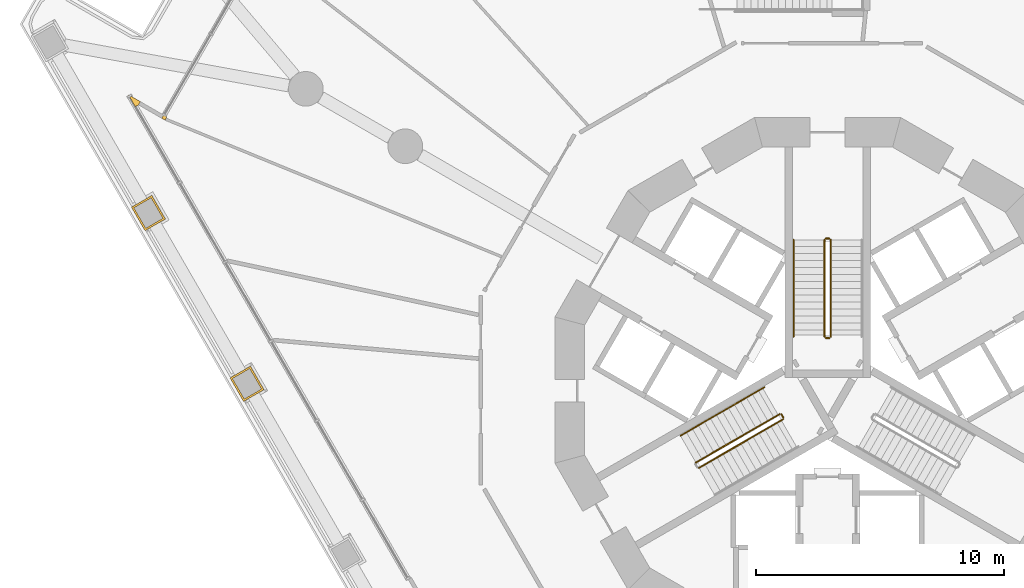
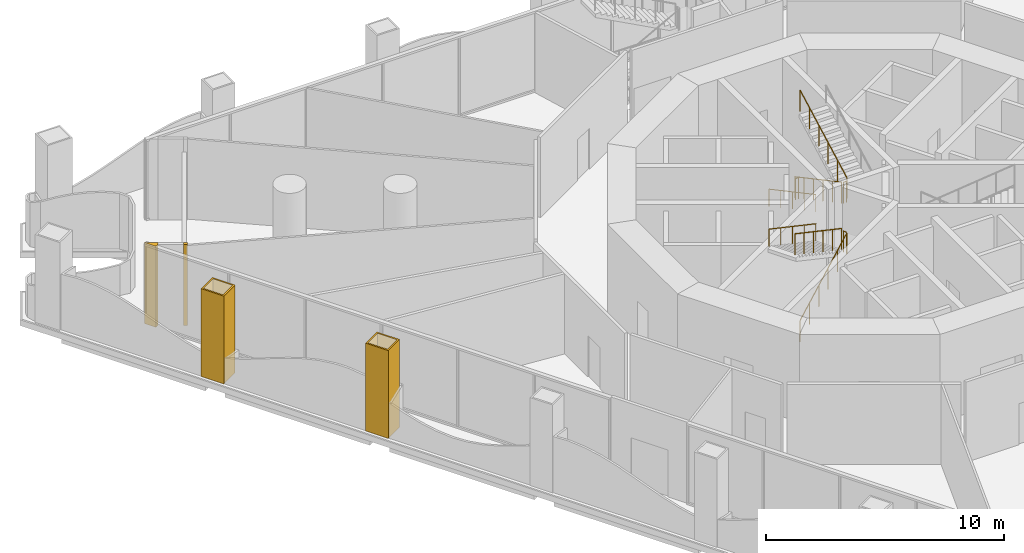
# One storey, part 18 of 21: 10 railings, 4 coverings.
"""IFC4 building model written with IfcOpenShell, lengths in metres."""

from ifc_helpers import new_model, si_unit, direction, frame, origin, origin_2d, place, context, subcontext, project, spatial, polyline, circle, outline, extrude, material, layer, layer_set, type_object, element, save


model = new_model("IFC4")

# Units and contexts
model_context = context("Model", 3, precision=1e-05, world=origin(), true_north=direction((0.0, 1.0)))
body_context = subcontext(model_context, "Body", "Model", "MODEL_VIEW")
ifc_project = project(units=[si_unit("LENGTHUNIT", "METRE"), si_unit("AREAUNIT", "SQUARE_METRE"), si_unit("VOLUMEUNIT", "CUBIC_METRE"), si_unit("PLANEANGLEUNIT", "RADIAN"), si_unit("MASSUNIT", "GRAM", prefix="KILO")], contexts=[model_context])

# Site, building, storey
site_placement = place(None, origin())
site = spatial("IfcSite", under=ifc_project, at=site_placement, CompositionType="ELEMENT")
building_placement = place(site_placement, origin())
building = spatial("IfcBuilding", under=site, at=building_placement, Name="Trine Commons Tower", CompositionType="ELEMENT")
storey_placement = place(building_placement, frame((0.0, 0.0, 13.5)))
storey = spatial("IfcBuildingStorey", under=building, at=storey_placement, Name="L02", CompositionType="ELEMENT", Elevation=13.5)

# Coverings
ifc_material_1 = material(Name="Aluminium-framed insulated wall panel", Category="aluminium")
ifc_layer_1 = layer(ifc_material_1, 0.14990234375)
ifc_layer_set_1 = layer_set([ifc_layer_1], Name="Aluminium-framed insulated wall panel")
covering_type_1 = type_object("IfcCoveringType", Name="Glazing corner post, aluminium", PredefinedType="CLADDING", material=ifc_layer_set_1)
covering_1_placement = place(storey_placement, origin())
element("IfcCovering", 1, at=covering_1_placement, inside=storey, type_object=covering_type_1, Name="Glazing corner post 1-01", PredefinedType="CLADDING", context=body_context, shape_type="SweptSolid", body=[
    extrude(outline(polyline([(51.75634765625, 74.43017578125), (51.75634765625, 74.43017578125), (52.036376953125, 73.9453125), (52.166259765625, 74.020263671875), (52.166259765625, 74.020263671875), (52.166259765625, 74.020263671875), (52.166259765625, 74.020263671875), (52.2412109375, 74.150146484375), (51.75634765625, 74.43017578125)])), origin(), (0.0, 0.0, 1.0), 4.14990234375),
])
covering_2_placement = place(storey_placement, origin())
element("IfcCovering", 2, at=covering_2_placement, inside=storey, type_object=covering_type_1, Name="Glazing corner post 1-02", PredefinedType="CLADDING", context=body_context, shape_type="SweptSolid", body=[
    extrude(outline(polyline([(53.1064453125, 73.4775390625), (53.236328125, 73.402587890625), (53.311279296875, 73.532470703125), (53.181396484375, 73.607421875), (53.1064453125, 73.4775390625)])), origin(), (0.0, 0.0, 1.0), 4.14990234375),
])
ifc_material_2 = material(Name="Limestone, honed", Category="masonry")
ifc_layer_2 = layer(ifc_material_2, 0.074951171875)
ifc_layer_set_2 = layer_set([ifc_layer_2], Name="Limestone, honed")
covering_type_2 = type_object("IfcCoveringType", Name="Limestone column cladding 75", PredefinedType="CLADDING", material=ifc_layer_set_2)
covering_3_placement = place(storey_placement, origin())
element("IfcCovering", 3, at=covering_3_placement, inside=storey, type_object=covering_type_2, Name="Limestone pier cladding 1-06", PredefinedType="CLADDING", context=body_context, shape_type="SweptSolid", body=[
    extrude(outline(polyline([(56.68359375, 63.46630859375), (55.860595703125, 62.9912109375), (56.41064453125, 62.03857421875), (57.2333984375, 62.513671875), (56.68359375, 63.46630859375)]), holes=[polyline([(56.656005859375, 63.36376953125), (55.963134765625, 62.9638671875), (56.438232421875, 62.14111328125), (57.131103515625, 62.541015625), (56.656005859375, 63.36376953125)])]), origin(), (0.0, 0.0, 1.0), 4.5),
])
covering_4_placement = place(storey_placement, origin())
element("IfcCovering", 4, at=covering_4_placement, inside=storey, type_object=covering_type_2, Name="Limestone pier cladding 1-07", PredefinedType="CLADDING", context=body_context, shape_type="SweptSolid", body=[
    extrude(outline(polyline([(52.701904296875, 70.36279296875), (51.87890625, 69.8876953125), (52.428955078125, 68.93505859375), (53.251708984375, 69.41015625), (52.701904296875, 70.36279296875)]), holes=[polyline([(52.67431640625, 70.26025390625), (51.9814453125, 69.8603515625), (52.45654296875, 69.03759765625), (53.1494140625, 69.4375), (52.67431640625, 70.26025390625)])]), origin(), (0.0, 0.0, 1.0), 4.5),
])

# Railings
ifc_material_3 = material(Name="Stainless steel balustrade", Category="steel")
railing_type_1 = type_object("IfcRailingType", Name="Stair guard, steel balustrade 1100", PredefinedType="GUARDRAIL", material=ifc_material_3)
railing_1_placement = place(storey_placement, frame((79.875, 68.570556640625, 0.14990234375)))
element("IfcRailing", 5, at=railing_1_placement, inside=storey, type_object=railing_type_1, Name="L02 ST1A stair guard 1", PredefinedType="GUARDRAIL", context=body_context, shape_type="SweptSolid", body=[
    extrude(circle(Radius=0.02392578125, at=origin_2d()), frame((0.0, 0.0, 1.076171875), z_axis=(0.0, -0.881466911329, 0.472245787945), x_axis=(1.0, 0.0, 0.0)), (0.0, 0.0, 1.0), 4.447021484375),
    extrude(circle(Radius=0.02099609375, at=origin_2d()), origin(), (0.0, 0.0, 1.0), 1.052001953125),
    extrude(circle(Radius=0.02099609375, at=origin_2d()), frame((0.0, -0.783935546875, 0.419921875)), (0.0, 0.0, 1.0), 1.052001953125),
    extrude(circle(Radius=0.02099609375, at=origin_2d()), frame((0.0, -1.56787109375, 0.840087890625)), (0.0, 0.0, 1.0), 1.052001953125),
    extrude(circle(Radius=0.02099609375, at=origin_2d()), frame((0.0, -2.35205078125, 1.260009765625)), (0.0, 0.0, 1.0), 1.052001953125),
    extrude(circle(Radius=0.02099609375, at=origin_2d()), frame((0.0, -3.135986328125, 1.68017578125)), (0.0, 0.0, 1.0), 1.052001953125),
    extrude(circle(Radius=0.02099609375, at=origin_2d()), frame((0.0, -3.919921875, 2.10009765625)), (0.0, 0.0, 1.0), 1.052001953125),
])
railing_2_placement = place(storey_placement, frame((79.925048828125, 64.6005859375, 2.25)))
element("IfcRailing", 6, at=railing_2_placement, inside=storey, type_object=railing_type_1, Name="L02 ST1A stair guard 2", PredefinedType="GUARDRAIL", context=body_context, shape_type="SweptSolid", body=[
    extrude(circle(Radius=0.02392578125, at=origin_2d()), frame((0.0, 0.0, 1.076171875), z_axis=(1.0, 0.0, 0.0), x_axis=(0.0, 1.0, 0.0)), (0.0, 0.0, 1.0), 0.14990234375),
    extrude(circle(Radius=0.02099609375, at=origin_2d()), origin(), (0.0, 0.0, 1.0), 1.052001953125),
    extrude(circle(Radius=0.02099609375, at=origin_2d()), frame((0.14990234375, 0.0, 0.0)), (0.0, 0.0, 1.0), 1.052001953125),
])
railing_3_placement = place(storey_placement, frame((80.125, 64.650634765625, 2.39990234375)))
element("IfcRailing", 7, at=railing_3_placement, inside=storey, type_object=railing_type_1, Name="L02 ST1A stair guard 3", PredefinedType="GUARDRAIL", context=body_context, shape_type="SweptSolid", body=[
    extrude(circle(Radius=0.02392578125, at=origin_2d()), frame((0.0, 0.0, 1.076171875), z_axis=(0.0, 0.881466911329, 0.472245787945), x_axis=(-1.0, 0.0, 0.0)), (0.0, 0.0, 1.0), 4.447021484375),
    extrude(circle(Radius=0.02099609375, at=origin_2d()), origin(), (0.0, 0.0, 1.0), 1.052001953125),
    extrude(circle(Radius=0.02099609375, at=origin_2d()), frame((0.0, 0.783935546875, 0.419921875)), (0.0, 0.0, 1.0), 1.052001953125),
    extrude(circle(Radius=0.02099609375, at=origin_2d()), frame((0.0, 1.56787109375, 0.840087890625)), (0.0, 0.0, 1.0), 1.052001953125),
    extrude(circle(Radius=0.02099609375, at=origin_2d()), frame((0.0, 2.35205078125, 1.260009765625)), (0.0, 0.0, 1.0), 1.052001953125),
    extrude(circle(Radius=0.02099609375, at=origin_2d()), frame((0.0, 3.135986328125, 1.68017578125)), (0.0, 0.0, 1.0), 1.052001953125),
    extrude(circle(Radius=0.02099609375, at=origin_2d()), frame((0.0, 3.919921875, 2.10009765625)), (0.0, 0.0, 1.0), 1.052001953125),
])
railing_4_placement = place(storey_placement, frame((79.925048828125, 68.62060546875, 0.0)))
element("IfcRailing", 8, at=railing_4_placement, inside=storey, type_object=railing_type_1, Name="L02 ST1A stair guard 4", PredefinedType="GUARDRAIL", context=body_context, shape_type="SweptSolid", body=[
    extrude(circle(Radius=0.02392578125, at=origin_2d()), frame((0.0, 0.0, 1.076171875), z_axis=(1.0, 0.0, 0.0), x_axis=(0.0, 1.0, 0.0)), (0.0, 0.0, 1.0), 0.14990234375),
    extrude(circle(Radius=0.02099609375, at=origin_2d()), origin(), (0.0, 0.0, 1.0), 1.052001953125),
    extrude(circle(Radius=0.02099609375, at=origin_2d()), frame((0.14990234375, 0.0, 0.0)), (0.0, 0.0, 1.0), 1.052001953125),
])
railing_5_placement = place(storey_placement, frame((74.80517578125, 59.3564453125, 0.14990234375)))
element("IfcRailing", 9, at=railing_5_placement, inside=storey, type_object=railing_type_1, Name="L02 ST2A stair guard 1", PredefinedType="GUARDRAIL", context=body_context, shape_type="SweptSolid", body=[
    extrude(circle(Radius=0.02392578125, at=origin_2d()), frame((0.0, 0.0, 1.076171875), z_axis=(0.763374939589, 0.440731680332, 0.472243885677), x_axis=(-0.499997407846, 0.86602690036, 0.0)), (0.0, 0.0, 1.0), 4.447021484375),
    extrude(circle(Radius=0.02099609375, at=origin_2d()), origin(), (0.0, 0.0, 1.0), 1.052001953125),
    extrude(circle(Radius=0.02099609375, at=origin_2d()), frame((0.678955078125, 0.39208984375, 0.419921875)), (0.0, 0.0, 1.0), 1.052001953125),
    extrude(circle(Radius=0.02099609375, at=origin_2d()), frame((1.35791015625, 0.783935546875, 0.840087890625)), (0.0, 0.0, 1.0), 1.052001953125),
    extrude(circle(Radius=0.02099609375, at=origin_2d()), frame((2.036865234375, 1.176025390625, 1.260009765625)), (0.0, 0.0, 1.0), 1.052001953125),
    extrude(circle(Radius=0.02099609375, at=origin_2d()), frame((2.7158203125, 1.56787109375, 1.68017578125)), (0.0, 0.0, 1.0), 1.052001953125),
    extrude(circle(Radius=0.02099609375, at=origin_2d()), frame((3.394775390625, 1.9599609375, 2.10009765625)), (0.0, 0.0, 1.0), 1.052001953125),
])
railing_6_placement = place(storey_placement, frame((78.21826171875, 61.384765625, 2.25)))
element("IfcRailing", 10, at=railing_6_placement, inside=storey, type_object=railing_type_1, Name="L02 ST2A stair guard 2", PredefinedType="GUARDRAIL", context=body_context, shape_type="SweptSolid", body=[
    extrude(circle(Radius=0.02392578125, at=origin_2d()), frame((0.0, 0.0, 1.076171875), z_axis=(-0.499816412211, 0.866131372301, 0.0), x_axis=(-0.866131372301, -0.499816412211, 0.0)), (0.0, 0.0, 1.0), 0.14990234375),
    extrude(circle(Radius=0.02099609375, at=origin_2d()), origin(), (0.0, 0.0, 1.0), 1.052001953125),
    extrude(circle(Radius=0.02099609375, at=origin_2d()), frame((-0.074951171875, 0.1298828125, 0.0)), (0.0, 0.0, 1.0), 1.052001953125),
])
railing_7_placement = place(storey_placement, frame((78.074951171875, 61.532958984375, 2.39990234375)))
element("IfcRailing", 11, at=railing_7_placement, inside=storey, type_object=railing_type_1, Name="L02 ST2A stair guard 3", PredefinedType="GUARDRAIL", context=body_context, shape_type="SweptSolid", body=[
    extrude(circle(Radius=0.02392578125, at=origin_2d()), frame((0.0, 0.0, 1.076171875), z_axis=(-0.763374939589, -0.440731680332, 0.472243885677), x_axis=(0.499997407846, -0.86602690036, 0.0)), (0.0, 0.0, 1.0), 4.447021484375),
    extrude(circle(Radius=0.02099609375, at=origin_2d()), origin(), (0.0, 0.0, 1.0), 1.052001953125),
    extrude(circle(Radius=0.02099609375, at=origin_2d()), frame((-0.678955078125, -0.39208984375, 0.419921875)), (0.0, 0.0, 1.0), 1.052001953125),
    extrude(circle(Radius=0.02099609375, at=origin_2d()), frame((-1.35791015625, -0.783935546875, 0.840087890625)), (0.0, 0.0, 1.0), 1.052001953125),
    extrude(circle(Radius=0.02099609375, at=origin_2d()), frame((-2.036865234375, -1.176025390625, 1.260009765625)), (0.0, 0.0, 1.0), 1.052001953125),
    extrude(circle(Radius=0.02099609375, at=origin_2d()), frame((-2.7158203125, -1.56787109375, 1.68017578125)), (0.0, 0.0, 1.0), 1.052001953125),
    extrude(circle(Radius=0.02099609375, at=origin_2d()), frame((-3.394775390625, -1.9599609375, 2.10009765625)), (0.0, 0.0, 1.0), 1.052001953125),
])
ifc_material_4 = material(Name="Stainless steel handrail", Category="steel")
railing_type_2 = type_object("IfcRailingType", Name="Stair handrail, steel 900", PredefinedType="HANDRAIL", material=ifc_material_4)
railing_8_placement = place(storey_placement, frame((78.625, 68.570556640625, 0.14990234375)))
element("IfcRailing", 12, at=railing_8_placement, inside=storey, type_object=railing_type_2, Name="L02 ST1A stair handrail 1", PredefinedType="HANDRAIL", context=body_context, shape_type="SweptSolid", body=[
    extrude(circle(Radius=0.02099609375, at=origin_2d()), frame((0.0, 0.0, 0.87890625), z_axis=(0.0, -0.881466911329, 0.472245787945), x_axis=(1.0, 0.0, 0.0)), (0.0, 0.0, 1.0), 4.447021484375),
    extrude(circle(Radius=0.01513671875, at=origin_2d()), origin(), (0.0, 0.0, 1.0), 0.85791015625),
    extrude(circle(Radius=0.01513671875, at=origin_2d()), frame((0.0, -0.97998046875, 0.52490234375)), (0.0, 0.0, 1.0), 0.85791015625),
    extrude(circle(Radius=0.01513671875, at=origin_2d()), frame((0.0, -1.9599609375, 1.050048828125)), (0.0, 0.0, 1.0), 0.85791015625),
    extrude(circle(Radius=0.01513671875, at=origin_2d()), frame((0.0, -2.93994140625, 1.5751953125)), (0.0, 0.0, 1.0), 0.85791015625),
    extrude(circle(Radius=0.01513671875, at=origin_2d()), frame((0.0, -3.919921875, 2.10009765625)), (0.0, 0.0, 1.0), 0.85791015625),
])
railing_9_placement = place(storey_placement, frame((77.449951171875, 62.615478515625, 2.39990234375)))
element("IfcRailing", 13, at=railing_9_placement, inside=storey, type_object=railing_type_2, Name="L02 ST2A stair handrail 3", PredefinedType="HANDRAIL", context=body_context, shape_type="SweptSolid", body=[
    extrude(circle(Radius=0.02099609375, at=origin_2d()), frame((0.0, 0.0, 0.87890625), z_axis=(-0.763352030933, -0.440750151347, 0.472263677365), x_axis=(0.500024377727, -0.866011328839, 0.0)), (0.0, 0.0, 1.0), 2.223388671875),
    extrude(circle(Radius=0.01513671875, at=origin_2d()), origin(), (0.0, 0.0, 1.0), 0.85791015625),
    extrude(circle(Radius=0.01513671875, at=origin_2d()), frame((-0.8486328125, -0.489990234375, 0.52490234375)), (0.0, 0.0, 1.0), 0.85791015625),
    extrude(circle(Radius=0.01513671875, at=origin_2d()), frame((-1.697265625, -0.97998046875, 1.050048828125)), (0.0, 0.0, 1.0), 0.85791015625),
])
railing_10_placement = place(storey_placement, frame((75.752685546875, 61.635498046875, 3.449951171875)))
element("IfcRailing", 14, at=railing_10_placement, inside=storey, type_object=railing_type_2, Name="L02 ST2A stair handrail 4", PredefinedType="HANDRAIL", context=body_context, shape_type="SweptSolid", body=[
    extrude(circle(Radius=0.02099609375, at=origin_2d()), frame((0.0, 0.0, 0.87890625), z_axis=(-0.763397845365, -0.440713210311, 0.472224095054), x_axis=(0.499970440388, -0.866042469362, 0.0)), (0.0, 0.0, 1.0), 2.2236328125),
    extrude(circle(Radius=0.01513671875, at=origin_2d()), origin(), (0.0, 0.0, 1.0), 0.85791015625),
    extrude(circle(Radius=0.01513671875, at=origin_2d()), frame((-0.8486328125, -0.489990234375, 0.52490234375)), (0.0, 0.0, 1.0), 0.85791015625),
    extrude(circle(Radius=0.01513671875, at=origin_2d()), frame((-1.697509765625, -0.97998046875, 1.050048828125)), (0.0, 0.0, 1.0), 0.85791015625),
])

save(model, "model.ifc")
